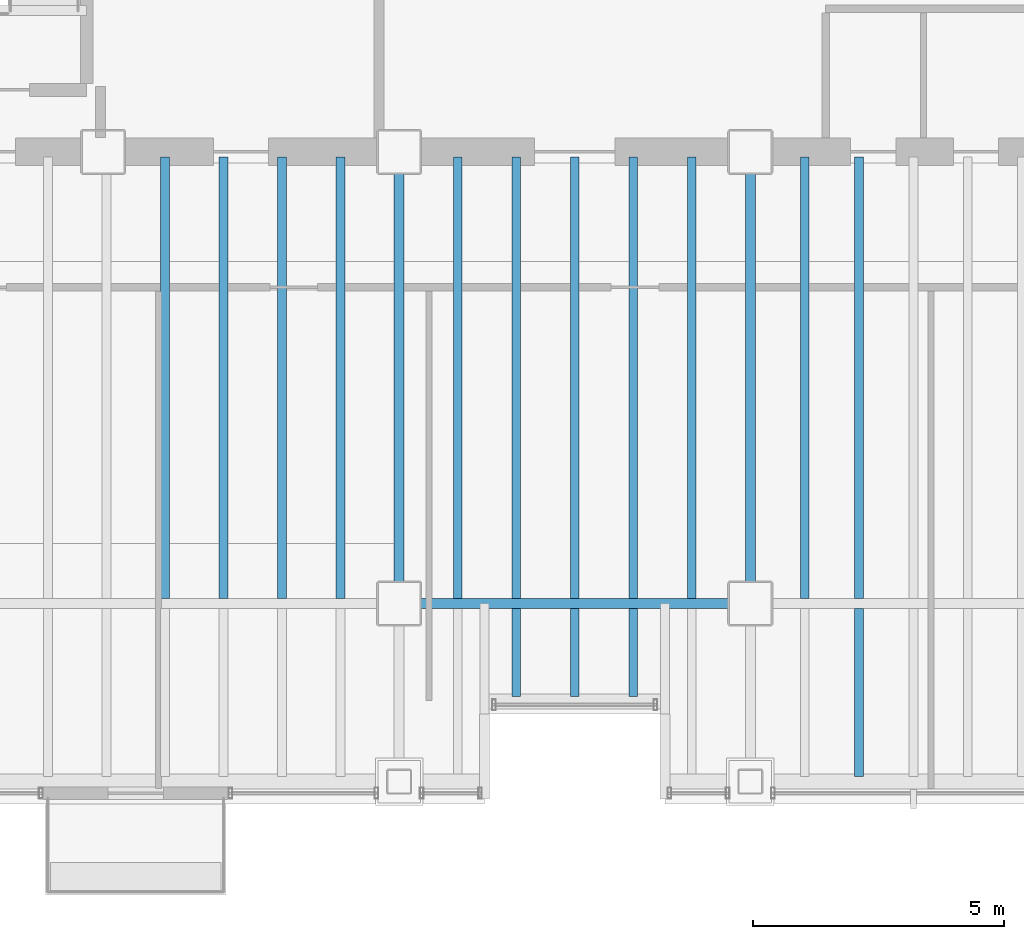
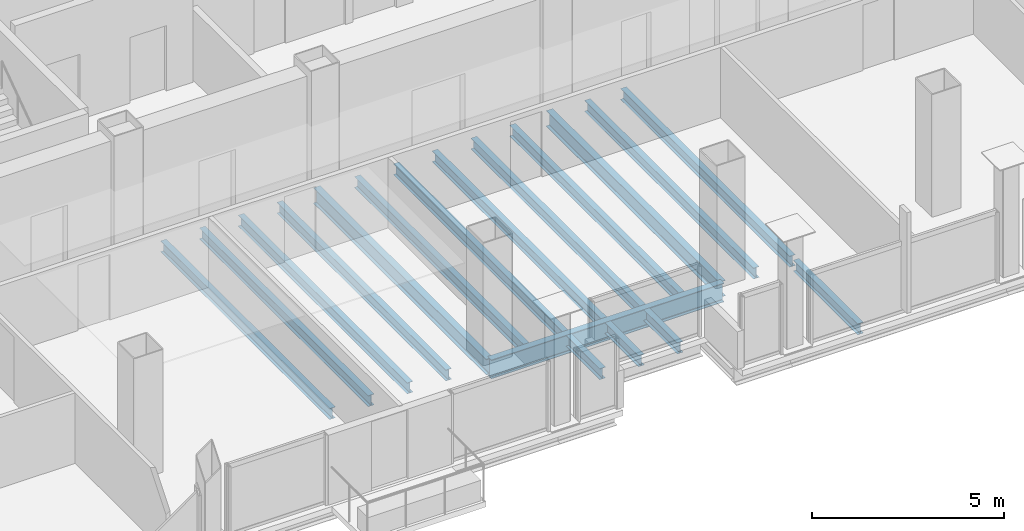
# One storey, part 5 of 19: 18 beams.
"""IFC4 building model written with IfcOpenShell, lengths in metres."""

from ifc_helpers import new_model, si_unit, direction, frame, origin, origin_2d, place, context, subcontext, project, spatial, i_section, extrude, material, material_profile, profile_set, type_object, element, save


model = new_model("IFC4")

# Units and contexts
model_context = context("Model", 3, precision=1e-05, world=origin(), true_north=direction((0.0, 1.0)))
body_context = subcontext(model_context, "Body", "Model", "MODEL_VIEW")
ifc_project = project(units=[si_unit("LENGTHUNIT", "METRE"), si_unit("AREAUNIT", "SQUARE_METRE"), si_unit("VOLUMEUNIT", "CUBIC_METRE"), si_unit("PLANEANGLEUNIT", "RADIAN"), si_unit("MASSUNIT", "GRAM", prefix="KILO")], contexts=[model_context])

# Site, building, storey
site_placement = place(None, origin())
site = spatial("IfcSite", under=ifc_project, at=site_placement, CompositionType="ELEMENT")
building_placement = place(site_placement, origin())
building = spatial("IfcBuilding", under=site, at=building_placement, Name="Noeulbin Bourse Tower", CompositionType="ELEMENT")
storey_placement = place(building_placement, frame((0.0, 0.0, 165.60009765625)))
storey = spatial("IfcBuildingStorey", under=building, at=storey_placement, Name="L41", CompositionType="ELEMENT", Elevation=165.60009765625)

# Beams
ifc_material = material(Name="Steel S355", Category="steel")
ifc_material_profile_1 = material_profile(ifc_material, i_section(OverallWidth=0.199951171875, OverallDepth=0.5, WebThickness=0.010009765625, FlangeThickness=0.01611328125, FilletRadius=0.02001953125, at=origin_2d()), Name="H-500x200x10x16", Category="LoadBearing")
ifc_profile_set_1 = profile_set([ifc_material_profile_1], Name="Steel S355")
beam_type_1 = type_object("IfcBeamType", Name="BM-GRD-500", PredefinedType="USERDEFINED", material=ifc_profile_set_1)
for number, where, z_axis, x_axis, name in (
    (1, (24.0, 20.0, -0.43017578125), (0.0, 1.0, 0.0), (-1.0, 0.0, 0.0), "Tower Primary Girder NS L41-2.2"),
    (2, (31.0, 20.0, -0.43017578125), (0.0, 1.0, 0.0), (-1.0, 0.0, 0.0), "Tower Primary Girder NS L41-3.2"),
):
    element("IfcBeam", number, at=place(storey_placement, frame(where, z_axis=z_axis, x_axis=x_axis)), inside=storey, type_object=beam_type_1, Name=name, ObjectType="GIRDER", PredefinedType="USERDEFINED", context=body_context, shape_type="SweptSolid", body=[
        extrude(i_section(OverallWidth=0.199951171875, OverallDepth=0.5, WebThickness=0.010009765625, FlangeThickness=0.01611328125, FilletRadius=0.02001953125, at=origin_2d()), origin(), (0.0, 0.0, 1.0), 9.0),
    ])
ifc_material_profile_2 = material_profile(ifc_material, i_section(OverallWidth=0.199951171875, OverallDepth=0.60009765625, WebThickness=0.010986328125, FlangeThickness=0.01708984375, FilletRadius=0.02197265625, at=origin_2d()), Name="H-600x200x11x17", Category="LoadBearing")
ifc_profile_set_2 = profile_set([ifc_material_profile_2], Name="Steel S355")
beam_type_2 = type_object("IfcBeamType", Name="BM-GRD-600", PredefinedType="USERDEFINED", material=ifc_profile_set_2)
beam_1_placement = place(storey_placement, frame((24.0, 20.0, -0.47998046875), z_axis=(1.0, 0.0, 0.0), x_axis=(0.0, 1.0, 0.0)))
element("IfcBeam", 3, at=beam_1_placement, inside=storey, type_object=beam_type_2, Name="Tower Primary Girder EW L41-1.3", ObjectType="GIRDER", PredefinedType="USERDEFINED", context=body_context, shape_type="SweptSolid", body=[
    extrude(i_section(OverallWidth=0.199951171875, OverallDepth=0.60009765625, WebThickness=0.010986328125, FlangeThickness=0.01708984375, FilletRadius=0.02197265625, at=origin_2d()), origin(), (0.0, 0.0, 1.0), 7.0),
])
ifc_material_profile_3 = material_profile(ifc_material, i_section(OverallWidth=0.175048828125, OverallDepth=0.35009765625, WebThickness=0.007080078125, FlangeThickness=0.010986328125, FilletRadius=0.013916015625, at=origin_2d()), Name="H-350x175x7x11", Category="LoadBearing")
ifc_profile_set_3 = profile_set([ifc_material_profile_3], Name="Steel S355")
beam_type_3 = type_object("IfcBeamType", Name="BM-JST-350", PredefinedType="JOIST", material=ifc_profile_set_3)
for number, where, z_axis, x_axis, name in (
    (4, (19.333251953125, 20.10009765625, -0.35498046875), (0.0, 1.0, 0.0), (-1.0, 0.0, 0.0), "Tower Composite Joist L41-14"),
    (5, (20.5, 20.10009765625, -0.35498046875), (0.0, 1.0, 0.0), (-1.0, 0.0, 0.0), "Tower Composite Joist L41-17"),
    (6, (21.666748046875, 20.10009765625, -0.35498046875), (0.0, 1.0, 0.0), (-1.0, 0.0, 0.0), "Tower Composite Joist L41-20"),
    (7, (22.833251953125, 20.10009765625, -0.35498046875), (0.0, 1.0, 0.0), (-1.0, 0.0, 0.0), "Tower Composite Joist L41-23"),
    (8, (25.166748046875, 20.10009765625, -0.35498046875), (0.0, 1.0, 0.0), (-1.0, 0.0, 0.0), "Tower Composite Joist L41-26"),
):
    element("IfcBeam", number, at=place(storey_placement, frame(where, z_axis=z_axis, x_axis=x_axis)), inside=storey, type_object=beam_type_3, Name=name, PredefinedType="JOIST", context=body_context, shape_type="SweptSolid", body=[
        extrude(i_section(OverallWidth=0.175048828125, OverallDepth=0.35009765625, WebThickness=0.007080078125, FlangeThickness=0.010986328125, FilletRadius=0.013916015625, at=origin_2d()), origin(), (0.0, 0.0, 1.0), 8.7998046875),
    ])
beam_2_placement = place(storey_placement, frame((26.333251953125, 18.14990234375, -0.35498046875), z_axis=(0.0, 1.0, 0.0), x_axis=(-1.0, 0.0, 0.0)))
element("IfcBeam", 9, at=beam_2_placement, inside=storey, type_object=beam_type_3, Name="Tower Composite Joist L41-28", PredefinedType="JOIST", context=body_context, shape_type="SweptSolid", body=[
    extrude(i_section(OverallWidth=0.175048828125, OverallDepth=0.35009765625, WebThickness=0.007080078125, FlangeThickness=0.010986328125, FilletRadius=0.013916015625, at=origin_2d()), origin(), (0.0, 0.0, 1.0), 1.75),
])
beam_3_placement = place(storey_placement, frame((26.333251953125, 20.10009765625, -0.35498046875), z_axis=(0.0, 1.0, 0.0), x_axis=(-1.0, 0.0, 0.0)))
element("IfcBeam", 10, at=beam_3_placement, inside=storey, type_object=beam_type_3, Name="Tower Composite Joist L41-29", PredefinedType="JOIST", context=body_context, shape_type="SweptSolid", body=[
    extrude(i_section(OverallWidth=0.175048828125, OverallDepth=0.35009765625, WebThickness=0.007080078125, FlangeThickness=0.010986328125, FilletRadius=0.013916015625, at=origin_2d()), origin(), (0.0, 0.0, 1.0), 8.7998046875),
])
beam_4_placement = place(storey_placement, frame((27.5, 18.14990234375, -0.35498046875), z_axis=(0.0, 1.0, 0.0), x_axis=(-1.0, 0.0, 0.0)))
element("IfcBeam", 11, at=beam_4_placement, inside=storey, type_object=beam_type_3, Name="Tower Composite Joist L41-31", PredefinedType="JOIST", context=body_context, shape_type="SweptSolid", body=[
    extrude(i_section(OverallWidth=0.175048828125, OverallDepth=0.35009765625, WebThickness=0.007080078125, FlangeThickness=0.010986328125, FilletRadius=0.013916015625, at=origin_2d()), origin(), (0.0, 0.0, 1.0), 1.75),
])
beam_5_placement = place(storey_placement, frame((27.5, 20.10009765625, -0.35498046875), z_axis=(0.0, 1.0, 0.0), x_axis=(-1.0, 0.0, 0.0)))
element("IfcBeam", 12, at=beam_5_placement, inside=storey, type_object=beam_type_3, Name="Tower Composite Joist L41-32", PredefinedType="JOIST", context=body_context, shape_type="SweptSolid", body=[
    extrude(i_section(OverallWidth=0.175048828125, OverallDepth=0.35009765625, WebThickness=0.007080078125, FlangeThickness=0.010986328125, FilletRadius=0.013916015625, at=origin_2d()), origin(), (0.0, 0.0, 1.0), 8.7998046875),
])
beam_6_placement = place(storey_placement, frame((28.666748046875, 18.14990234375, -0.35498046875), z_axis=(0.0, 1.0, 0.0), x_axis=(-1.0, 0.0, 0.0)))
element("IfcBeam", 13, at=beam_6_placement, inside=storey, type_object=beam_type_3, Name="Tower Composite Joist L41-34", PredefinedType="JOIST", context=body_context, shape_type="SweptSolid", body=[
    extrude(i_section(OverallWidth=0.175048828125, OverallDepth=0.35009765625, WebThickness=0.007080078125, FlangeThickness=0.010986328125, FilletRadius=0.013916015625, at=origin_2d()), origin(), (0.0, 0.0, 1.0), 1.75),
])
for number, where, z_axis, x_axis, name in (
    (14, (28.666748046875, 20.10009765625, -0.35498046875), (0.0, 1.0, 0.0), (-1.0, 0.0, 0.0), "Tower Composite Joist L41-35"),
    (15, (29.833251953125, 20.10009765625, -0.35498046875), (0.0, 1.0, 0.0), (-1.0, 0.0, 0.0), "Tower Composite Joist L41-38"),
    (16, (32.083251953125, 20.10009765625, -0.35498046875), (0.0, 1.0, 0.0), (-1.0, 0.0, 0.0), "Tower Composite Joist L41-41"),
):
    element("IfcBeam", number, at=place(storey_placement, frame(where, z_axis=z_axis, x_axis=x_axis)), inside=storey, type_object=beam_type_3, Name=name, PredefinedType="JOIST", context=body_context, shape_type="SweptSolid", body=[
        extrude(i_section(OverallWidth=0.175048828125, OverallDepth=0.35009765625, WebThickness=0.007080078125, FlangeThickness=0.010986328125, FilletRadius=0.013916015625, at=origin_2d()), origin(), (0.0, 0.0, 1.0), 8.7998046875),
    ])
beam_7_placement = place(storey_placement, frame((33.166748046875, 16.550048828125, -0.35498046875), z_axis=(0.0, 1.0, 0.0), x_axis=(-1.0, 0.0, 0.0)))
element("IfcBeam", 17, at=beam_7_placement, inside=storey, type_object=beam_type_3, Name="Tower Composite Joist L41-43", PredefinedType="JOIST", context=body_context, shape_type="SweptSolid", body=[
    extrude(i_section(OverallWidth=0.175048828125, OverallDepth=0.35009765625, WebThickness=0.007080078125, FlangeThickness=0.010986328125, FilletRadius=0.013916015625, at=origin_2d()), origin(), (0.0, 0.0, 1.0), 3.349853515625),
])
beam_8_placement = place(storey_placement, frame((33.166748046875, 20.10009765625, -0.35498046875), z_axis=(0.0, 1.0, 0.0), x_axis=(-1.0, 0.0, 0.0)))
element("IfcBeam", 18, at=beam_8_placement, inside=storey, type_object=beam_type_3, Name="Tower Composite Joist L41-44", PredefinedType="JOIST", context=body_context, shape_type="SweptSolid", body=[
    extrude(i_section(OverallWidth=0.175048828125, OverallDepth=0.35009765625, WebThickness=0.007080078125, FlangeThickness=0.010986328125, FilletRadius=0.013916015625, at=origin_2d()), origin(), (0.0, 0.0, 1.0), 8.7998046875),
])

save(model, "model.ifc")
